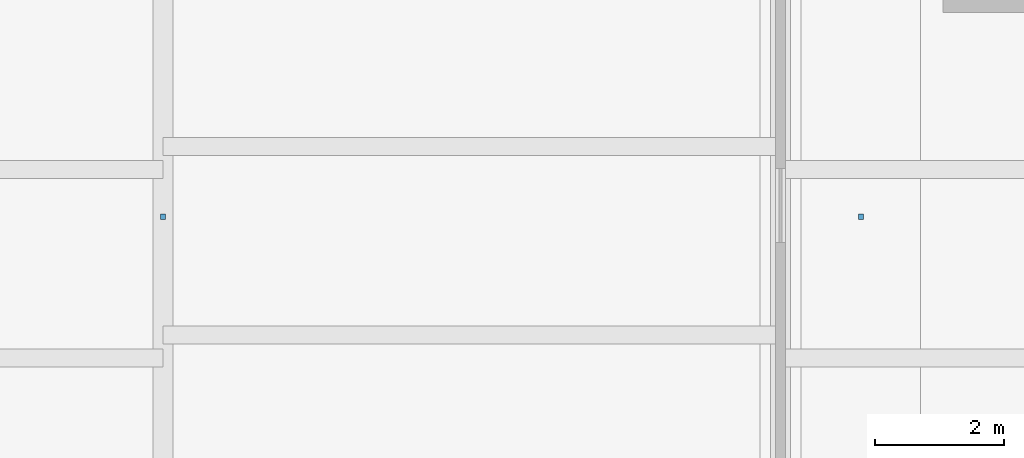
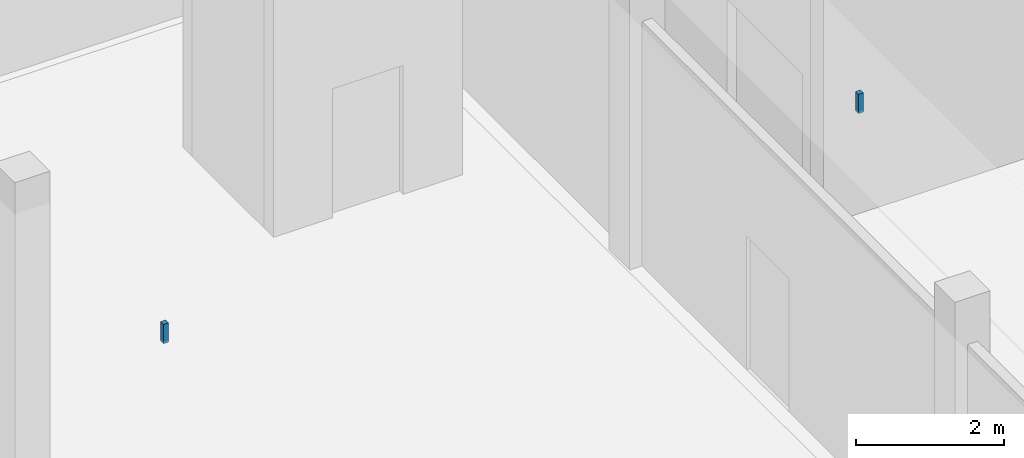
# One storey, part 149 of 157: 2 discrete accessories.
"""IFC4 building model written with IfcOpenShell, lengths in metres."""

from ifc_helpers import new_model, si_unit, direction, frame, origin, origin_2d, place, context, subcontext, project, spatial, rectangle, extrude, material, type_object, element, save


model = new_model("IFC4")

# Units and contexts
model_context = context("Model", 3, precision=1e-05, world=origin(), true_north=direction((0.0, 1.0)))
body_context = subcontext(model_context, "Body", "Model", "MODEL_VIEW")
ifc_project = project(units=[si_unit("LENGTHUNIT", "METRE"), si_unit("AREAUNIT", "SQUARE_METRE"), si_unit("VOLUMEUNIT", "CUBIC_METRE"), si_unit("PLANEANGLEUNIT", "RADIAN"), si_unit("MASSUNIT", "GRAM", prefix="KILO")], contexts=[model_context])

# Site, building, storey
site_placement = place(None, origin())
site = spatial("IfcSite", under=ifc_project, at=site_placement, CompositionType="ELEMENT")
building_placement = place(site_placement, origin())
building = spatial("IfcBuilding", under=site, at=building_placement, Name="Chalmorin Arch Market", CompositionType="ELEMENT")
storey_placement = place(building_placement, frame((0.0, 0.0, 4.800048828125)))
storey = spatial("IfcBuildingStorey", under=building, at=storey_placement, Name="L01", CompositionType="ELEMENT", Elevation=4.800048828125)

# Discrete accessories
ifc_material = material(Name="Galvanized Cold-Formed Steel", Category="steel")
discrete_accessory_type = type_object("IfcDiscreteAccessoryType", Name="CeilingSuspensionBracket-80x80", PredefinedType="BRACKET", material=ifc_material)
for number, where, z_axis, x_axis, name in (
    (1, (87.64990234375, 105.75, 4.2529296875), (0.0, 0.0, 1.0), (1.0, 0.0, 0.0), "CSB-184"),
    (2, (76.800048828125, 105.75, 4.2529296875), (0.0, 0.0, 1.0), (1.0, 0.0, 0.0), "CSB-188"),
):
    element("IfcDiscreteAccessory", number, at=place(storey_placement, frame(where, z_axis=z_axis, x_axis=x_axis)), inside=storey, type_object=discrete_accessory_type, Name=name, PredefinedType="BRACKET", context=body_context, shape_type="SweptSolid", body=[
        extrude(rectangle(XDim=0.080078125, YDim=0.080078125, at=origin_2d()), origin(), (0.0, 0.0, 1.0), 0.31689453125),
    ])

save(model, "model.ifc")
